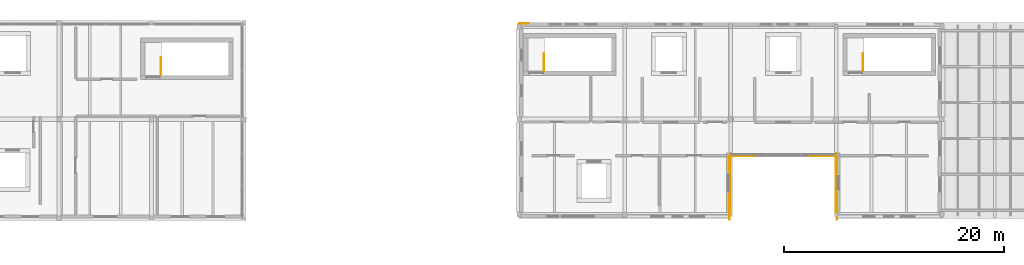
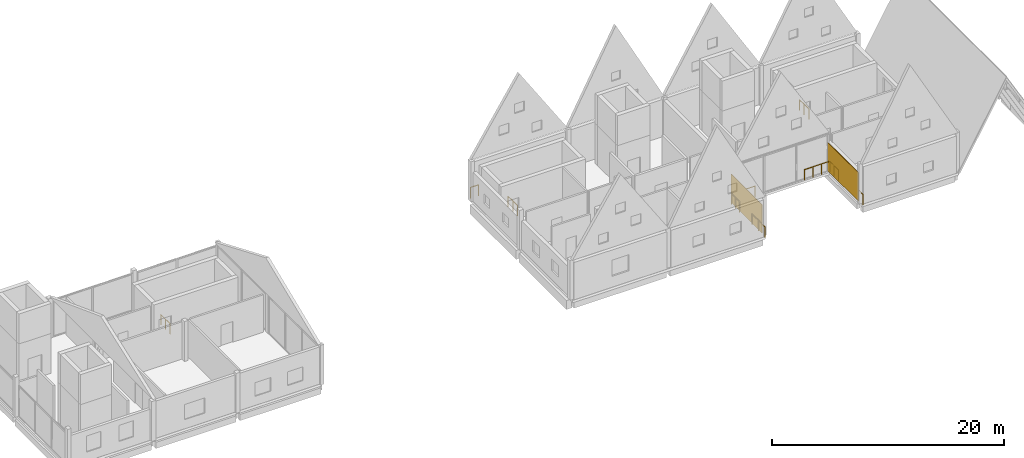
# One storey, part 12 of 13: 10 railings, 2 coverings.
"""IFC4 building model written with IfcOpenShell, lengths in metres."""

from ifc_helpers import new_model, si_unit, direction, frame, origin, origin_2d, place, context, subcontext, project, spatial, rectangle, circle, extrude, material, layer, layer_set, type_object, element, save


model = new_model("IFC4")

# Units and contexts
model_context = context("Model", 3, precision=1e-05, world=origin(), true_north=direction((0.0, 1.0)))
body_context = subcontext(model_context, "Body", "Model", "MODEL_VIEW")
ifc_project = project(units=[si_unit("LENGTHUNIT", "METRE"), si_unit("AREAUNIT", "SQUARE_METRE"), si_unit("VOLUMEUNIT", "CUBIC_METRE"), si_unit("PLANEANGLEUNIT", "RADIAN"), si_unit("MASSUNIT", "GRAM", prefix="KILO")], contexts=[model_context])

# Site, building, storey
site_placement = place(None, origin())
site = spatial("IfcSite", under=ifc_project, at=site_placement, CompositionType="ELEMENT")
building_placement = place(site_placement, origin())
building = spatial("IfcBuilding", under=site, at=building_placement, Name="Birchvale Park Specialist Clinic", CompositionType="ELEMENT")
storey_placement = place(building_placement, frame((0.0, 0.0, 22.199951171875)))
storey = spatial("IfcBuildingStorey", under=building, at=storey_placement, Name="L05", CompositionType="ELEMENT", Elevation=22.199951171875)

# Coverings
ifc_material_1 = material(Name="Nordic larch vertical rainscreen cladding")
ifc_layer = layer(ifc_material_1, 0.044921875)
ifc_layer_set = layer_set([ifc_layer], Name="Nordic larch vertical rainscreen cladding")
covering_type = type_object("IfcCoveringType", Name="COV-CL1", PredefinedType="CLADDING", material=ifc_layer_set)
covering_1_placement = place(storey_placement, frame((80.6025390625, 20.03759765625, 0.02001953125), z_axis=(0.0, 0.0, 1.0), x_axis=(0.0, 1.0, 0.0)))
element("IfcCovering", 1, at=covering_1_placement, inside=storey, type_object=covering_type, Name="V4 L05 Nordic larch cladding 22", PredefinedType="CLADDING", context=body_context, shape_type="SweptSolid", body=[
    extrude(rectangle(XDim=5.364990234375, YDim=0.044921875, at=origin_2d()), origin(), (0.0, 0.0, 1.0), 2.9951171875),
])
covering_2_placement = place(storey_placement, frame((90.197509765625, 20.02490234375, 0.02001953125), z_axis=(0.0, 0.0, 1.0), x_axis=(0.0, -1.0, 0.0)))
element("IfcCovering", 2, at=covering_2_placement, inside=storey, type_object=covering_type, Name="V4 L05 Nordic larch cladding 23", PredefinedType="CLADDING", context=body_context, shape_type="SweptSolid", body=[
    extrude(rectangle(XDim=5.389892578125, YDim=0.044921875, at=origin_2d()), origin(), (0.0, 0.0, 1.0), 2.9951171875),
])

# Railings
ifc_material_2 = material(Name="Brushed stainless steel and laminated glass balustrade", Category="steel")
railing_type_1 = type_object("IfcRailingType", Name="RL-BAL1", PredefinedType="BALUSTRADE", material=ifc_material_2)
railing_1_placement = place(storey_placement, frame((90.280029296875, 16.719970703125, 0.0)))
element("IfcRailing", 3, at=railing_1_placement, inside=storey, type_object=railing_type_1, Name="V4 L05 atrium void balustrade 46", PredefinedType="BALUSTRADE", context=body_context, shape_type="SweptSolid", body=[
    extrude(circle(Radius=0.02392578125, at=origin_2d()), frame((0.0, 0.0, 1.09619140625), z_axis=(0.0, 1.0, 0.0), x_axis=(-1.0, 0.0, 0.0)), (0.0, 0.0, 1.0), 2.360107421875),
    extrude(circle(Radius=0.02099609375, at=origin_2d()), origin(), (0.0, 0.0, 1.0), 1.072021484375),
    extrude(circle(Radius=0.02099609375, at=origin_2d()), frame((0.0, 1.18017578125, 0.0)), (0.0, 0.0, 1.0), 1.072021484375),
    extrude(circle(Radius=0.02099609375, at=origin_2d()), frame((0.0, 2.360107421875, 0.0)), (0.0, 0.0, 1.0), 1.072021484375),
])
railing_2_placement = place(storey_placement, frame((90.280029296875, 20.969970703125, 0.0)))
element("IfcRailing", 4, at=railing_2_placement, inside=storey, type_object=railing_type_1, Name="V4 L05 atrium void balustrade 47", PredefinedType="BALUSTRADE", context=body_context, shape_type="SweptSolid", body=[
    extrude(circle(Radius=0.02392578125, at=origin_2d()), frame((0.0, 0.0, 1.09619140625), z_axis=(0.0, 1.0, 0.0), x_axis=(-1.0, 0.0, 0.0)), (0.0, 0.0, 1.0), 1.510009765625),
    extrude(circle(Radius=0.02099609375, at=origin_2d()), origin(), (0.0, 0.0, 1.0), 1.072021484375),
    extrude(circle(Radius=0.02099609375, at=origin_2d()), frame((0.0, 0.7548828125, 0.0)), (0.0, 0.0, 1.0), 1.072021484375),
    extrude(circle(Radius=0.02099609375, at=origin_2d()), frame((0.0, 1.510009765625, 0.0)), (0.0, 0.0, 1.0), 1.072021484375),
])
railing_3_placement = place(storey_placement, frame((90.280029296875, 22.47998046875, 0.0)))
element("IfcRailing", 5, at=railing_3_placement, inside=storey, type_object=railing_type_1, Name="V4 L05 atrium void balustrade 48", PredefinedType="BALUSTRADE", context=body_context, shape_type="SweptSolid", body=[
    extrude(circle(Radius=0.02392578125, at=origin_2d()), frame((0.0, 0.0, 1.09619140625), z_axis=(-1.0, 0.0, 0.0), x_axis=(0.0, -1.0, 0.0)), (0.0, 0.0, 1.0), 2.52392578125),
    extrude(circle(Radius=0.02099609375, at=origin_2d()), origin(), (0.0, 0.0, 1.0), 1.072021484375),
    extrude(circle(Radius=0.02099609375, at=origin_2d()), frame((-0.84130859375, 0.0, 0.0)), (0.0, 0.0, 1.0), 1.072021484375),
    extrude(circle(Radius=0.02099609375, at=origin_2d()), frame((-1.6826171875, 0.0, 0.0)), (0.0, 0.0, 1.0), 1.072021484375),
    extrude(circle(Radius=0.02099609375, at=origin_2d()), frame((-2.52392578125, 0.0, 0.0)), (0.0, 0.0, 1.0), 1.072021484375),
])
railing_4_placement = place(storey_placement, frame((82.85205078125, 22.47998046875, 0.0)))
element("IfcRailing", 6, at=railing_4_placement, inside=storey, type_object=railing_type_1, Name="V4 L05 atrium void balustrade 49", PredefinedType="BALUSTRADE", context=body_context, shape_type="SweptSolid", body=[
    extrude(circle(Radius=0.02392578125, at=origin_2d()), frame((0.0, 0.0, 1.09619140625), z_axis=(-1.0, 0.0, 0.0), x_axis=(0.0, -1.0, 0.0)), (0.0, 0.0, 1.0), 2.33203125),
    extrude(circle(Radius=0.02099609375, at=origin_2d()), origin(), (0.0, 0.0, 1.0), 1.072021484375),
    extrude(circle(Radius=0.02099609375, at=origin_2d()), frame((-1.166015625, 0.0, 0.0)), (0.0, 0.0, 1.0), 1.072021484375),
    extrude(circle(Radius=0.02099609375, at=origin_2d()), frame((-2.33203125, 0.0, 0.0)), (0.0, 0.0, 1.0), 1.072021484375),
])
railing_5_placement = place(storey_placement, frame((80.52001953125, 22.47998046875, 0.0)))
element("IfcRailing", 7, at=railing_5_placement, inside=storey, type_object=railing_type_1, Name="V4 L05 atrium void balustrade 50", PredefinedType="BALUSTRADE", context=body_context, shape_type="SweptSolid", body=[
    extrude(circle(Radius=0.02392578125, at=origin_2d()), frame((0.0, 0.0, 1.09619140625), z_axis=(0.0, -1.0, 0.0), x_axis=(1.0, 0.0, 0.0)), (0.0, 0.0, 1.0), 1.37255859375),
    extrude(circle(Radius=0.02099609375, at=origin_2d()), origin(), (0.0, 0.0, 1.0), 1.072021484375),
    extrude(circle(Radius=0.02099609375, at=origin_2d()), frame((0.0, -0.686279296875, 0.0)), (0.0, 0.0, 1.0), 1.072021484375),
    extrude(circle(Radius=0.02099609375, at=origin_2d()), frame((0.0, -1.37255859375, 0.0)), (0.0, 0.0, 1.0), 1.072021484375),
])
railing_6_placement = place(storey_placement, frame((80.52001953125, 18.967529296875, 0.0)))
element("IfcRailing", 8, at=railing_6_placement, inside=storey, type_object=railing_type_1, Name="V4 L05 atrium void balustrade 51", PredefinedType="BALUSTRADE", context=body_context, shape_type="SweptSolid", body=[
    extrude(circle(Radius=0.02392578125, at=origin_2d()), frame((0.0, 0.0, 1.09619140625), z_axis=(0.0, -1.0, 0.0), x_axis=(1.0, 0.0, 0.0)), (0.0, 0.0, 1.0), 2.24755859375),
    extrude(circle(Radius=0.02099609375, at=origin_2d()), origin(), (0.0, 0.0, 1.0), 1.072021484375),
    extrude(circle(Radius=0.02099609375, at=origin_2d()), frame((0.0, -1.123779296875, 0.0)), (0.0, 0.0, 1.0), 1.072021484375),
    extrude(circle(Radius=0.02099609375, at=origin_2d()), frame((0.0, -2.24755859375, 0.0)), (0.0, 0.0, 1.0), 1.072021484375),
])
railing_type_2 = type_object("IfcRailingType", Name="RL-BAL2", PredefinedType="BALUSTRADE", material=ifc_material_2)
railing_7_placement = place(storey_placement, frame((61.449951171875, 34.52001953125, 0.0)))
element("IfcRailing", 9, at=railing_7_placement, inside=storey, type_object=railing_type_2, Name="V4 L05 corner edge guard NW", PredefinedType="BALUSTRADE", context=body_context, shape_type="SweptSolid", body=[
    extrude(circle(Radius=0.02392578125, at=origin_2d()), frame((0.0, 0.0, 1.1259765625), z_axis=(1.0, 0.0, 0.0), x_axis=(0.0, 1.0, 0.0)), (0.0, 0.0, 1.0), 0.800048828125),
    extrude(circle(Radius=0.02099609375, at=origin_2d()), origin(), (0.0, 0.0, 1.0), 1.101806640625),
    extrude(circle(Radius=0.02099609375, at=origin_2d()), frame((0.800048828125, 0.0, 0.0)), (0.0, 0.0, 1.0), 1.101806640625),
])
ifc_material_3 = material(Name="Brushed stainless steel guard railing", Category="steel")
railing_type_3 = type_object("IfcRailingType", Name="RL-GRD1", PredefinedType="GUARDRAIL", material=ifc_material_3)
railing_8_placement = place(storey_placement, frame((28.85009765625, 29.800048828125, 0.0)))
element("IfcRailing", 10, at=railing_8_placement, inside=storey, type_object=railing_type_3, Name="L05 ST2 top well guard 1", PredefinedType="GUARDRAIL", context=body_context, shape_type="SweptSolid", body=[
    extrude(circle(Radius=0.02392578125, at=origin_2d()), frame((0.0, 0.0, 1.076171875), z_axis=(0.0, 1.0, 0.0), x_axis=(-1.0, 0.0, 0.0)), (0.0, 0.0, 1.0), 1.599853515625),
    extrude(circle(Radius=0.02099609375, at=origin_2d()), origin(), (0.0, 0.0, 1.0), 1.052001953125),
    extrude(circle(Radius=0.02099609375, at=origin_2d()), frame((0.0, 0.7998046875, 0.0)), (0.0, 0.0, 1.0), 1.052001953125),
    extrude(circle(Radius=0.02099609375, at=origin_2d()), frame((0.0, 1.599853515625, 0.0)), (0.0, 0.0, 1.0), 1.052001953125),
])
for number, where, name in (
    (11, (63.64990234375, 30.199951171875, 0.0), "L05 ST4 top well guard 1"),
    (12, (92.64990234375, 30.199951171875, 0.0), "L05 ST5 top well guard 1"),
):
    element("IfcRailing", number, at=place(storey_placement, frame(where)), inside=storey, type_object=railing_type_3, Name=name, PredefinedType="GUARDRAIL", context=body_context, shape_type="SweptSolid", body=[
        extrude(circle(Radius=0.02392578125, at=origin_2d()), frame((0.0, 0.0, 1.076171875), z_axis=(0.0, 1.0, 0.0), x_axis=(-1.0, 0.0, 0.0)), (0.0, 0.0, 1.0), 1.60009765625),
        extrude(circle(Radius=0.02099609375, at=origin_2d()), origin(), (0.0, 0.0, 1.0), 1.052001953125),
        extrude(circle(Radius=0.02099609375, at=origin_2d()), frame((0.0, 0.800048828125, 0.0)), (0.0, 0.0, 1.0), 1.052001953125),
        extrude(circle(Radius=0.02099609375, at=origin_2d()), frame((0.0, 1.60009765625, 0.0)), (0.0, 0.0, 1.0), 1.052001953125),
    ])

save(model, "model.ifc")
